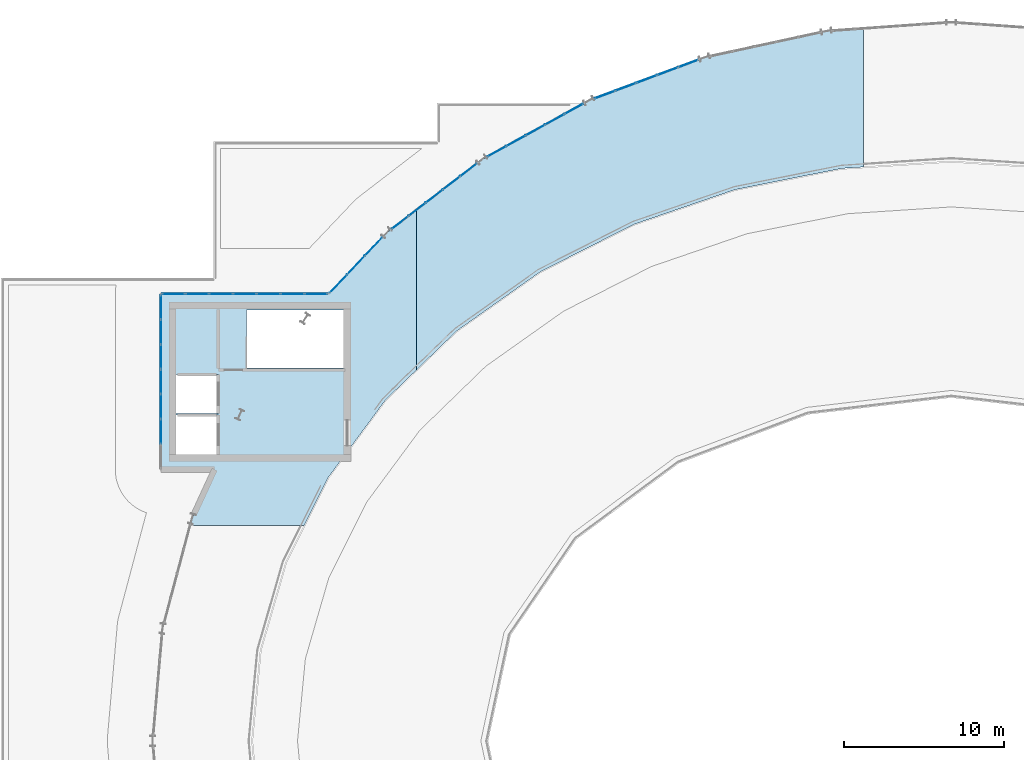
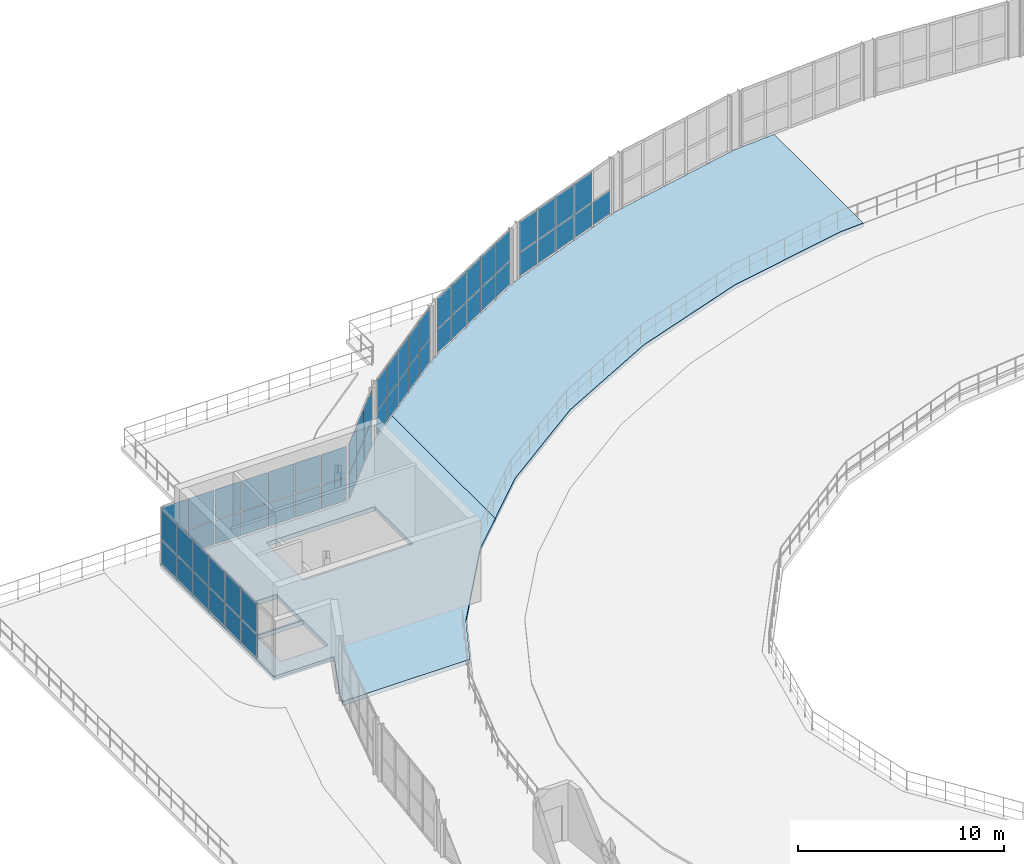
# One storey, part 28 of 40: 61 plates, 2 slabs, 6 elements without a shape of their own.
"""IFC4 building model written with IfcOpenShell, lengths in metres."""

import ifcopenshell
import ifcopenshell.guid

model = None  # the IFC model being written
_history = None  # IfcOwnerHistory: only IFC2X3 demands one
_inside = {}  # id of a spatial element -> (the spatial element, [elements in it])
_under = {}  # id of a project, library or spatial element -> (it, [spatial elements below it])
_declared = {}  # id of a project -> (the project, [libraries it declares])
_typed = {}  # id of a type object -> (the type object, [elements of that type])
_made_of = {}  # id of a material, layer set ... -> (it, [elements and type objects made of it])


def new_model(schema):
    """Start an empty IFC model of exactly this schema.

    Asked for "IFC4X3", IfcOpenShell would pick the latest addendum, in which some entities
    have other attributes; the version numbers below select the first issue.
    IFC2X3 requires an IfcOwnerHistory on every rooted entity: one is made here for all.
    """
    global model, _history
    if schema == "IFC4X3":
        model = ifcopenshell.file(schema_version=(4, 3, 0, 0))
    else:
        model = ifcopenshell.file(schema=schema)
    _inside.clear()
    _under.clear()
    _declared.clear()
    _typed.clear()
    _made_of.clear()
    _history = None
    if model.schema == "IFC2X3":
        org = make("IfcOrganization", Name="unknown")
        user = make(
            "IfcPersonAndOrganization",
            ThePerson=make("IfcPerson", FamilyName="unknown"),
            TheOrganization=org,
        )
        app = make(
            "IfcApplication",
            ApplicationDeveloper=org,
            Version="unknown",
            ApplicationFullName="unknown",
            ApplicationIdentifier="unknown",
        )
        _history = make(
            "IfcOwnerHistory",
            OwningUser=user,
            OwningApplication=app,
            ChangeAction="ADDED",
            CreationDate=0,
        )
    return model


def make(cls, **values):
    """One entity of the class cls with the attributes given. An attribute that is None is left unset."""
    return model.create_entity(
        cls, **{name: value for name, value in values.items() if value is not None}
    )


def rooted(cls, **values):
    """An entity with a GlobalId (a new one), such as an element, a storey or a relation."""
    return make(cls, GlobalId=ifcopenshell.guid.new(), OwnerHistory=_history, **values)


def si_unit(unit_type, name, prefix=None):
    """IfcSIUnit, for example si_unit("LENGTHUNIT", "METRE", prefix="MILLI")."""
    return make("IfcSIUnit", UnitType=unit_type, Prefix=prefix, Name=name)


def assignment(units):
    """IfcUnitAssignment: the units of a project."""
    return None if units is None else make("IfcUnitAssignment", Units=units)


def point(xyz):
    """IfcCartesianPoint."""
    return None if xyz is None else make("IfcCartesianPoint", Coordinates=xyz)


def direction(xyz):
    """IfcDirection."""
    return None if xyz is None else make("IfcDirection", DirectionRatios=xyz)


def frame(location, z_axis=None, x_axis=None):
    """IfcAxis2Placement3D, a coordinate frame: its origin and axes. An axis left out is left unset."""
    return make(
        "IfcAxis2Placement3D",
        Location=point(location),
        Axis=direction(z_axis),
        RefDirection=direction(x_axis),
    )


def frame_2d(location, x_axis=None):
    """IfcAxis2Placement2D, a coordinate frame in the plane: its origin and x axis."""
    return make(
        "IfcAxis2Placement2D", Location=point(location), RefDirection=direction(x_axis)
    )


def origin():
    """The frame at (0, 0, 0) with its axes left unset."""
    return frame((0.0, 0.0, 0.0))


def origin_2d():
    """The frame at (0, 0) in the plane with its x axis left unset."""
    return frame_2d((0.0, 0.0))


def place(relative_to, where):
    """IfcLocalPlacement: puts the frame where relative to a parent placement (None: the world)."""
    return make(
        "IfcLocalPlacement", PlacementRelTo=relative_to, RelativePlacement=where
    )


def context(
    kind, dimensions, precision=None, world=None, true_north=None, identifier=None
):
    """IfcGeometricRepresentationContext, for example the 3D "Model" context."""
    return make(
        "IfcGeometricRepresentationContext",
        ContextIdentifier=identifier,
        ContextType=kind,
        CoordinateSpaceDimension=dimensions,
        Precision=precision,
        WorldCoordinateSystem=world,
        TrueNorth=true_north,
    )


def subcontext(parent, identifier, kind, view, scale=None):
    """IfcGeometricRepresentationSubContext, for example "Body" below "Model"."""
    return make(
        "IfcGeometricRepresentationSubContext",
        ContextIdentifier=identifier,
        ContextType=kind,
        ParentContext=parent,
        TargetScale=scale,
        TargetView=view,
    )


def project(units=None, contexts=None):
    """IfcProject with its units and contexts."""
    return rooted(
        "IfcProject",
        Name="project",
        RepresentationContexts=contexts,
        UnitsInContext=assignment(units),
    )


def spatial(cls, under=None, at=None, **own):
    """A site, building, storey or space (cls), placed at a placement, below another one or the project."""
    s = rooted(cls, ObjectPlacement=at, **own)
    if under is not None:
        _under.setdefault(under.id(), (under, []))[1].append(s)
    return s


def polyline(points):
    """IfcPolyline through the points."""
    return make("IfcPolyline", Points=[point(p) for p in points])


def profile(cls, at=None, kind="AREA", **sizes):
    """A parametric profile (cls). Its sizes go by their IFC names, for example OverallWidth=200.0."""
    return make(cls, ProfileType=kind, Position=at, **sizes)


def rectangle(**sizes):
    """IfcRectangleProfileDef."""
    return profile("IfcRectangleProfileDef", **sizes)


def outline(outer, holes=None, kind="AREA"):
    """IfcArbitraryClosedProfileDef: a profile drawn as a closed curve; with holes, ...WithVoids."""
    if holes is None:
        return make("IfcArbitraryClosedProfileDef", ProfileType=kind, OuterCurve=outer)
    return make(
        "IfcArbitraryProfileDefWithVoids",
        ProfileType=kind,
        OuterCurve=outer,
        InnerCurves=holes,
    )


def extrude(swept, where, along, depth):
    """IfcExtrudedAreaSolid: the profile swept, set in the frame where, extruded along a direction by depth."""
    return make(
        "IfcExtrudedAreaSolid",
        SweptArea=swept,
        Position=where,
        ExtrudedDirection=direction(along),
        Depth=depth,
    )


def shape(context_of_items, identifier, shape_type, items):
    """IfcShapeRepresentation: the items that make up one representation, for example the "Body"."""
    return make(
        "IfcShapeRepresentation",
        ContextOfItems=context_of_items,
        RepresentationIdentifier=identifier,
        RepresentationType=shape_type,
        Items=items,
    )


def material(Name=None, Category=None):
    """IfcMaterial."""
    return make("IfcMaterial", Name=Name, Category=Category)


def layer(
    of_material, thickness, ventilated=None, Name=None, Category=None, Priority=None
):
    """IfcMaterialLayer: one layer of a wall or slab, of a material (None: an air gap)."""
    return make(
        "IfcMaterialLayer",
        Material=of_material,
        LayerThickness=thickness,
        IsVentilated=ventilated,
        Name=Name,
        Category=Category,
        Priority=Priority,
    )


def layer_set(layers, Name=None):
    """IfcMaterialLayerSet."""
    return make("IfcMaterialLayerSet", MaterialLayers=layers, LayerSetName=Name)


def made_of(thing, what):
    """Note that an element or type object is made of a material, layer set ...; save() writes the relation."""
    if what is not None:
        _made_of.setdefault(what.id(), (what, []))[1].append(thing)
    return thing


def type_object(cls, material=None, **own):
    """A type object (cls), such as IfcWallType, which elements share."""
    return made_of(rooted(cls, **own), material)


def element(
    cls,
    number,
    at=None,
    inside=None,
    cuts=None,
    type_object=None,
    material=None,
    context=None,
    identifier="Body",
    shape_type=None,
    held_by="IfcProductDefinitionShape",
    body=None,
    shapes=None,
    **own,
):
    """One element of the class cls, such as IfcWall. Its Tag is "e" and its number.

    at: its placement. inside: the storey or other place that contains it. cuts: it is an
    opening in that element (IfcRelVoidsElement). A single representation is given by context,
    identifier, shape_type and body (its items); several are given by shapes. held_by: the class
    of the entity that holds the representations. save() writes the other relations.
    """
    e = rooted(cls, Tag="e%d" % number, ObjectPlacement=at, **own)
    if body is not None:
        shapes = [shape(context, identifier, shape_type, body)]
    if shapes is not None:
        e.Representation = make(held_by, Representations=shapes)
    if inside is not None:
        _inside.setdefault(inside.id(), (inside, []))[1].append(e)
    if cuts is not None:
        rooted(
            "IfcRelVoidsElement", RelatingBuildingElement=cuts, RelatedOpeningElement=e
        )
    if type_object is not None:
        _typed.setdefault(type_object.id(), (type_object, []))[1].append(e)
    return made_of(e, material)


def aggregate(whole, parts):
    """IfcRelAggregates: a whole, such as a stair, and the parts it consists of."""
    return rooted("IfcRelAggregates", RelatingObject=whole, RelatedObjects=parts)


def save(model, path):
    """Write the relations noted so far, then the file.

    IfcRelAggregates (storeys below a building ...), IfcRelContainedInSpatialStructure (elements
    in a storey), IfcRelDefinesByType, IfcRelAssociatesMaterial and IfcRelDeclares: one each for
    every whole, place, type object, material and project.
    """
    for whole, parts in _under.values():
        aggregate(whole, parts)
    for where, things in _inside.values():
        rooted(
            "IfcRelContainedInSpatialStructure",
            RelatedElements=things,
            RelatingStructure=where,
        )
    for kind, things in _typed.values():
        rooted("IfcRelDefinesByType", RelatedObjects=things, RelatingType=kind)
    for what, things in _made_of.values():
        rooted("IfcRelAssociatesMaterial", RelatedObjects=things, RelatingMaterial=what)
    for by, libraries in _declared.values():
        rooted("IfcRelDeclares", RelatingContext=by, RelatedDefinitions=libraries)
    model.write(path)


model = new_model("IFC4")

# Units and contexts
model_context = context("Model", 3, precision=1e-05, world=origin(), true_north=direction((0.0, 1.0)))
body_context = subcontext(model_context, "Body", "Model", "MODEL_VIEW")
ifc_project = project(units=[si_unit("LENGTHUNIT", "METRE"), si_unit("AREAUNIT", "SQUARE_METRE"), si_unit("VOLUMEUNIT", "CUBIC_METRE"), si_unit("PLANEANGLEUNIT", "RADIAN"), si_unit("MASSUNIT", "GRAM", prefix="KILO")], contexts=[model_context])

# Site, building, storey
site_placement = place(None, origin())
site = spatial("IfcSite", under=ifc_project, at=site_placement, CompositionType="ELEMENT")
building_placement = place(site_placement, origin())
building = spatial("IfcBuilding", under=site, at=building_placement, Name="Glasvene Arena", CompositionType="ELEMENT")
storey_placement = place(building_placement, frame((0.0, 0.0, 24.0)))
storey = spatial("IfcBuildingStorey", under=building, at=storey_placement, Name="L05", CompositionType="ELEMENT", Elevation=24.0)

# Curtain wall, plates
ifc_material_1 = material(Name="Low-emissivity laminated double glazing", Category="glass")
curtain_wall_type_1 = type_object("IfcCurtainWallType", Name="CW-FAC-L05-1092x332", PredefinedType="USERDEFINED", material=ifc_material_1)
curtain_wall_1_placement = place(storey_placement, frame((42.5, 90.0400390625, 0.0)))
curtain_wall_1 = element("IfcCurtainWall", 1, at=curtain_wall_1_placement, inside=storey, type_object=curtain_wall_type_1, Name="Unitised curtain wall CW-F-L05-150-425-955-11", ObjectType="CURTAIN WALL", PredefinedType="USERDEFINED")
ifc_layer_1 = layer(ifc_material_1, 0.028076171875)
ifc_layer_set_1 = layer_set([ifc_layer_1], Name="Low-emissivity laminated double glazing")
plate_type = type_object("IfcPlateType", Name="CW-GLZ-28", PredefinedType="CURTAIN_PANEL", material=ifc_layer_set_1)
plate_1_placement = place(storey_placement, frame((42.5, 92.3798828125, 0.10986328125), z_axis=(0.0, 0.0, 1.0), x_axis=(0.0, 1.0, 0.0)))
plate_1 = element("IfcPlate", 2, at=plate_1_placement, type_object=plate_type, Name="CW-055 panel 2.1", PredefinedType="CURTAIN_PANEL", context=body_context, shape_type="SweptSolid", body=[
    extrude(rectangle(XDim=1.510009765625, YDim=0.028076171875, at=origin_2d()), origin(), (0.0, 0.0, 1.0), 1.385986328125),
])
plate_2_placement = place(storey_placement, frame((42.5, 92.3798828125, 1.5458984375), z_axis=(0.0, 0.0, 1.0), x_axis=(0.0, 1.0, 0.0)))
plate_2 = element("IfcPlate", 3, at=plate_2_placement, type_object=plate_type, Name="CW-055 panel 2.2", PredefinedType="CURTAIN_PANEL", context=body_context, shape_type="SweptSolid", body=[
    extrude(rectangle(XDim=1.510009765625, YDim=0.028076171875, at=origin_2d()), origin(), (0.0, 0.0, 1.0), 1.783935546875),
])
plate_3_placement = place(storey_placement, frame((42.5, 93.93994140625, 0.10986328125), z_axis=(0.0, 0.0, 1.0), x_axis=(0.0, 1.0, 0.0)))
plate_3 = element("IfcPlate", 4, at=plate_3_placement, type_object=plate_type, Name="CW-055 panel 3.1", PredefinedType="CURTAIN_PANEL", context=body_context, shape_type="SweptSolid", body=[
    extrude(rectangle(XDim=1.510009765625, YDim=0.028076171875, at=origin_2d()), origin(), (0.0, 0.0, 1.0), 1.385986328125),
])
plate_4_placement = place(storey_placement, frame((42.5, 93.93994140625, 1.5458984375), z_axis=(0.0, 0.0, 1.0), x_axis=(0.0, 1.0, 0.0)))
plate_4 = element("IfcPlate", 5, at=plate_4_placement, type_object=plate_type, Name="CW-055 panel 3.2", PredefinedType="CURTAIN_PANEL", context=body_context, shape_type="SweptSolid", body=[
    extrude(rectangle(XDim=1.510009765625, YDim=0.028076171875, at=origin_2d()), origin(), (0.0, 0.0, 1.0), 1.783935546875),
])
plate_5_placement = place(storey_placement, frame((42.5, 95.5, 0.10986328125), z_axis=(0.0, 0.0, 1.0), x_axis=(0.0, 1.0, 0.0)))
plate_5 = element("IfcPlate", 6, at=plate_5_placement, type_object=plate_type, Name="CW-055 panel 4.1", PredefinedType="CURTAIN_PANEL", context=body_context, shape_type="SweptSolid", body=[
    extrude(rectangle(XDim=1.510009765625, YDim=0.028076171875, at=origin_2d()), origin(), (0.0, 0.0, 1.0), 1.385986328125),
])
plate_6_placement = place(storey_placement, frame((42.5, 95.5, 1.5458984375), z_axis=(0.0, 0.0, 1.0), x_axis=(0.0, 1.0, 0.0)))
plate_6 = element("IfcPlate", 7, at=plate_6_placement, type_object=plate_type, Name="CW-055 panel 4.2", PredefinedType="CURTAIN_PANEL", context=body_context, shape_type="SweptSolid", body=[
    extrude(rectangle(XDim=1.510009765625, YDim=0.028076171875, at=origin_2d()), origin(), (0.0, 0.0, 1.0), 1.783935546875),
])
plate_7_placement = place(storey_placement, frame((42.5, 97.06005859375, 0.10986328125), z_axis=(0.0, 0.0, 1.0), x_axis=(0.0, 1.0, 0.0)))
plate_7 = element("IfcPlate", 8, at=plate_7_placement, type_object=plate_type, Name="CW-055 panel 5.1", PredefinedType="CURTAIN_PANEL", context=body_context, shape_type="SweptSolid", body=[
    extrude(rectangle(XDim=1.510009765625, YDim=0.028076171875, at=origin_2d()), origin(), (0.0, 0.0, 1.0), 1.385986328125),
])
plate_8_placement = place(storey_placement, frame((42.5, 97.06005859375, 1.5458984375), z_axis=(0.0, 0.0, 1.0), x_axis=(0.0, 1.0, 0.0)))
plate_8 = element("IfcPlate", 9, at=plate_8_placement, type_object=plate_type, Name="CW-055 panel 5.2", PredefinedType="CURTAIN_PANEL", context=body_context, shape_type="SweptSolid", body=[
    extrude(rectangle(XDim=1.510009765625, YDim=0.028076171875, at=origin_2d()), origin(), (0.0, 0.0, 1.0), 1.783935546875),
])
plate_9_placement = place(storey_placement, frame((42.5, 98.6201171875, 0.10986328125), z_axis=(0.0, 0.0, 1.0), x_axis=(0.0, 1.0, 0.0)))
plate_9 = element("IfcPlate", 10, at=plate_9_placement, type_object=plate_type, Name="CW-055 panel 6.1", PredefinedType="CURTAIN_PANEL", context=body_context, shape_type="SweptSolid", body=[
    extrude(rectangle(XDim=1.510009765625, YDim=0.028076171875, at=origin_2d()), origin(), (0.0, 0.0, 1.0), 1.385986328125),
])
plate_10_placement = place(storey_placement, frame((42.5, 98.6201171875, 1.5458984375), z_axis=(0.0, 0.0, 1.0), x_axis=(0.0, 1.0, 0.0)))
plate_10 = element("IfcPlate", 11, at=plate_10_placement, type_object=plate_type, Name="CW-055 panel 6.2", PredefinedType="CURTAIN_PANEL", context=body_context, shape_type="SweptSolid", body=[
    extrude(rectangle(XDim=1.510009765625, YDim=0.028076171875, at=origin_2d()), origin(), (0.0, 0.0, 1.0), 1.783935546875),
])
plate_11_placement = place(storey_placement, frame((42.5, 100.16748046875, 0.10986328125), z_axis=(0.0, 0.0, 1.0), x_axis=(0.0, 1.0, 0.0)))
plate_11 = element("IfcPlate", 12, at=plate_11_placement, type_object=plate_type, Name="CW-055 panel 7.1", PredefinedType="CURTAIN_PANEL", context=body_context, shape_type="SweptSolid", body=[
    extrude(rectangle(XDim=1.485107421875, YDim=0.028076171875, at=origin_2d()), origin(), (0.0, 0.0, 1.0), 1.385986328125),
])
plate_12_placement = place(storey_placement, frame((42.5, 100.16748046875, 1.5458984375), z_axis=(0.0, 0.0, 1.0), x_axis=(0.0, 1.0, 0.0)))
plate_12 = element("IfcPlate", 13, at=plate_12_placement, type_object=plate_type, Name="CW-055 panel 7.2", PredefinedType="CURTAIN_PANEL", context=body_context, shape_type="SweptSolid", body=[
    extrude(rectangle(XDim=1.485107421875, YDim=0.028076171875, at=origin_2d()), origin(), (0.0, 0.0, 1.0), 1.783935546875),
])
aggregate(curtain_wall_1, [plate_1, plate_2, plate_3, plate_4, plate_5, plate_6, plate_7, plate_8, plate_9, plate_10, plate_11, plate_12])

curtain_wall_type_2 = type_object("IfcCurtainWallType", Name="CW-FAC-L05-1044x332", PredefinedType="USERDEFINED", material=ifc_material_1)
curtain_wall_2_placement = place(storey_placement, frame((42.5400390625, 101.0, 0.0)))
curtain_wall_2 = element("IfcCurtainWall", 14, at=curtain_wall_2_placement, inside=storey, type_object=curtain_wall_type_2, Name="Unitised curtain wall CW-F-L05-150-478-1010-12", ObjectType="CURTAIN WALL", PredefinedType="USERDEFINED")
plate_13_placement = place(storey_placement, frame((43.298095703125, 101.0, 0.10986328125), z_axis=(0.0, 0.0, 1.0), x_axis=(1.0, 0.0, 0.0)))
plate_13 = element("IfcPlate", 15, at=plate_13_placement, type_object=plate_type, Name="CW-059 panel 1.1", PredefinedType="CURTAIN_PANEL", context=body_context, shape_type="SweptSolid", body=[
    extrude(rectangle(XDim=1.41650390625, YDim=0.028076171875, at=origin_2d()), origin(), (0.0, 0.0, 1.0), 1.385986328125),
])
plate_14_placement = place(storey_placement, frame((43.298095703125, 101.0, 1.5458984375), z_axis=(0.0, 0.0, 1.0), x_axis=(1.0, 0.0, 0.0)))
plate_14 = element("IfcPlate", 16, at=plate_14_placement, type_object=plate_type, Name="CW-059 panel 1.2", PredefinedType="CURTAIN_PANEL", context=body_context, shape_type="SweptSolid", body=[
    extrude(rectangle(XDim=1.41650390625, YDim=0.028076171875, at=origin_2d()), origin(), (0.0, 0.0, 1.0), 1.783935546875),
])
plate_15_placement = place(storey_placement, frame((44.777099609375, 101.0, 0.10986328125), z_axis=(0.0, 0.0, 1.0), x_axis=(1.0, 0.0, 0.0)))
plate_15 = element("IfcPlate", 17, at=plate_15_placement, type_object=plate_type, Name="CW-059 panel 2.1", PredefinedType="CURTAIN_PANEL", context=body_context, shape_type="SweptSolid", body=[
    extrude(rectangle(XDim=1.44140625, YDim=0.028076171875, at=origin_2d()), origin(), (0.0, 0.0, 1.0), 1.385986328125),
])
plate_16_placement = place(storey_placement, frame((44.777099609375, 101.0, 1.5458984375), z_axis=(0.0, 0.0, 1.0), x_axis=(1.0, 0.0, 0.0)))
plate_16 = element("IfcPlate", 18, at=plate_16_placement, type_object=plate_type, Name="CW-059 panel 2.2", PredefinedType="CURTAIN_PANEL", context=body_context, shape_type="SweptSolid", body=[
    extrude(rectangle(XDim=1.44140625, YDim=0.028076171875, at=origin_2d()), origin(), (0.0, 0.0, 1.0), 1.783935546875),
])
plate_17_placement = place(storey_placement, frame((46.2685546875, 101.0, 0.10986328125), z_axis=(0.0, 0.0, 1.0), x_axis=(1.0, 0.0, 0.0)))
plate_17 = element("IfcPlate", 19, at=plate_17_placement, type_object=plate_type, Name="CW-059 panel 3.1", PredefinedType="CURTAIN_PANEL", context=body_context, shape_type="SweptSolid", body=[
    extrude(rectangle(XDim=1.44140625, YDim=0.028076171875, at=origin_2d()), origin(), (0.0, 0.0, 1.0), 1.385986328125),
])
plate_18_placement = place(storey_placement, frame((46.2685546875, 101.0, 1.5458984375), z_axis=(0.0, 0.0, 1.0), x_axis=(1.0, 0.0, 0.0)))
plate_18 = element("IfcPlate", 20, at=plate_18_placement, type_object=plate_type, Name="CW-059 panel 3.2", PredefinedType="CURTAIN_PANEL", context=body_context, shape_type="SweptSolid", body=[
    extrude(rectangle(XDim=1.44140625, YDim=0.028076171875, at=origin_2d()), origin(), (0.0, 0.0, 1.0), 1.783935546875),
])
plate_19_placement = place(storey_placement, frame((47.760009765625, 101.0, 0.10986328125), z_axis=(0.0, 0.0, 1.0), x_axis=(1.0, 0.0, 0.0)))
plate_19 = element("IfcPlate", 21, at=plate_19_placement, type_object=plate_type, Name="CW-059 panel 4.1", PredefinedType="CURTAIN_PANEL", context=body_context, shape_type="SweptSolid", body=[
    extrude(rectangle(XDim=1.44140625, YDim=0.028076171875, at=origin_2d()), origin(), (0.0, 0.0, 1.0), 1.385986328125),
])
plate_20_placement = place(storey_placement, frame((47.760009765625, 101.0, 1.5458984375), z_axis=(0.0, 0.0, 1.0), x_axis=(1.0, 0.0, 0.0)))
plate_20 = element("IfcPlate", 22, at=plate_20_placement, type_object=plate_type, Name="CW-059 panel 4.2", PredefinedType="CURTAIN_PANEL", context=body_context, shape_type="SweptSolid", body=[
    extrude(rectangle(XDim=1.44140625, YDim=0.028076171875, at=origin_2d()), origin(), (0.0, 0.0, 1.0), 1.783935546875),
])
plate_21_placement = place(storey_placement, frame((49.251220703125, 101.0, 0.10986328125), z_axis=(0.0, 0.0, 1.0), x_axis=(1.0, 0.0, 0.0)))
plate_21 = element("IfcPlate", 23, at=plate_21_placement, type_object=plate_type, Name="CW-059 panel 5.1", PredefinedType="CURTAIN_PANEL", context=body_context, shape_type="SweptSolid", body=[
    extrude(rectangle(XDim=1.44140625, YDim=0.028076171875, at=origin_2d()), origin(), (0.0, 0.0, 1.0), 1.385986328125),
])
plate_22_placement = place(storey_placement, frame((49.251220703125, 101.0, 1.5458984375), z_axis=(0.0, 0.0, 1.0), x_axis=(1.0, 0.0, 0.0)))
plate_22 = element("IfcPlate", 24, at=plate_22_placement, type_object=plate_type, Name="CW-059 panel 5.2", PredefinedType="CURTAIN_PANEL", context=body_context, shape_type="SweptSolid", body=[
    extrude(rectangle(XDim=1.44140625, YDim=0.028076171875, at=origin_2d()), origin(), (0.0, 0.0, 1.0), 1.783935546875),
])
plate_23_placement = place(storey_placement, frame((50.74267578125, 101.0, 0.10986328125), z_axis=(0.0, 0.0, 1.0), x_axis=(1.0, 0.0, 0.0)))
plate_23 = element("IfcPlate", 25, at=plate_23_placement, type_object=plate_type, Name="CW-059 panel 6.1", PredefinedType="CURTAIN_PANEL", context=body_context, shape_type="SweptSolid", body=[
    extrude(rectangle(XDim=1.44140625, YDim=0.028076171875, at=origin_2d()), origin(), (0.0, 0.0, 1.0), 1.385986328125),
])
plate_24_placement = place(storey_placement, frame((50.74267578125, 101.0, 1.5458984375), z_axis=(0.0, 0.0, 1.0), x_axis=(1.0, 0.0, 0.0)))
plate_24 = element("IfcPlate", 26, at=plate_24_placement, type_object=plate_type, Name="CW-059 panel 6.2", PredefinedType="CURTAIN_PANEL", context=body_context, shape_type="SweptSolid", body=[
    extrude(rectangle(XDim=1.44140625, YDim=0.028076171875, at=origin_2d()), origin(), (0.0, 0.0, 1.0), 1.783935546875),
])
plate_25_placement = place(storey_placement, frame((52.2216796875, 101.0, 0.10986328125), z_axis=(0.0, 0.0, 1.0), x_axis=(1.0, 0.0, 0.0)))
plate_25 = element("IfcPlate", 27, at=plate_25_placement, type_object=plate_type, Name="CW-059 panel 7.1", PredefinedType="CURTAIN_PANEL", context=body_context, shape_type="SweptSolid", body=[
    extrude(rectangle(XDim=1.41650390625, YDim=0.028076171875, at=origin_2d()), origin(), (0.0, 0.0, 1.0), 1.385986328125),
])
plate_26_placement = place(storey_placement, frame((52.2216796875, 101.0, 1.5458984375), z_axis=(0.0, 0.0, 1.0), x_axis=(1.0, 0.0, 0.0)))
plate_26 = element("IfcPlate", 28, at=plate_26_placement, type_object=plate_type, Name="CW-059 panel 7.2", PredefinedType="CURTAIN_PANEL", context=body_context, shape_type="SweptSolid", body=[
    extrude(rectangle(XDim=1.41650390625, YDim=0.028076171875, at=origin_2d()), origin(), (0.0, 0.0, 1.0), 1.783935546875),
])
aggregate(curtain_wall_2, [plate_13, plate_14, plate_15, plate_16, plate_17, plate_18, plate_19, plate_20, plate_21, plate_22, plate_23, plate_24, plate_25, plate_26])

curtain_wall_type_3 = type_object("IfcCurtainWallType", Name="CW-FAC-L05-486x332", PredefinedType="USERDEFINED", material=ifc_material_1)
curtain_wall_3_placement = place(storey_placement, frame((53.04736328125, 101.029052734375, 0.0)))
curtain_wall_3 = element("IfcCurtainWall", 29, at=curtain_wall_3_placement, inside=storey, type_object=curtain_wall_type_3, Name="Unitised curtain wall CW-F-L05-150-547-1028-13", ObjectType="CURTAIN WALL", PredefinedType="USERDEFINED")
plate_27_placement = place(storey_placement, frame((53.61328125, 101.62548828125, 0.10986328125), z_axis=(0.0, 0.0, 1.0), x_axis=(0.688362630685, 0.725366727026, 0.0)))
plate_27 = element("IfcPlate", 30, at=plate_27_placement, type_object=plate_type, Name="CW-060 panel 1.1", PredefinedType="CURTAIN_PANEL", context=body_context, shape_type="SweptSolid", body=[
    extrude(rectangle(XDim=1.544677734375, YDim=0.028076171875, at=origin_2d()), origin(), (0.0, 0.0, 1.0), 1.385986328125),
])
plate_28_placement = place(storey_placement, frame((53.61328125, 101.62548828125, 1.5458984375), z_axis=(0.0, 0.0, 1.0), x_axis=(0.688362630685, 0.725366727026, 0.0)))
plate_28 = element("IfcPlate", 31, at=plate_28_placement, type_object=plate_type, Name="CW-060 panel 1.2", PredefinedType="CURTAIN_PANEL", context=body_context, shape_type="SweptSolid", body=[
    extrude(rectangle(XDim=1.544677734375, YDim=0.028076171875, at=origin_2d()), origin(), (0.0, 0.0, 1.0), 1.783935546875),
])
plate_29_placement = place(storey_placement, frame((54.7197265625, 102.791259765625, 0.10986328125), z_axis=(0.0, 0.0, 1.0), x_axis=(0.688362630685, 0.725366727026, 0.0)))
plate_29 = element("IfcPlate", 32, at=plate_29_placement, type_object=plate_type, Name="CW-060 panel 2.1", PredefinedType="CURTAIN_PANEL", context=body_context, shape_type="SweptSolid", body=[
    extrude(rectangle(XDim=1.569580078125, YDim=0.028076171875, at=origin_2d()), origin(), (0.0, 0.0, 1.0), 1.385986328125),
])
plate_30_placement = place(storey_placement, frame((54.7197265625, 102.791259765625, 1.5458984375), z_axis=(0.0, 0.0, 1.0), x_axis=(0.688362630685, 0.725366727026, 0.0)))
plate_30 = element("IfcPlate", 33, at=plate_30_placement, type_object=plate_type, Name="CW-060 panel 2.2", PredefinedType="CURTAIN_PANEL", context=body_context, shape_type="SweptSolid", body=[
    extrude(rectangle(XDim=1.569580078125, YDim=0.028076171875, at=origin_2d()), origin(), (0.0, 0.0, 1.0), 1.783935546875),
])
plate_31_placement = place(storey_placement, frame((55.825927734375, 103.95703125, 0.10986328125), z_axis=(0.0, 0.0, 1.0), x_axis=(0.688362630685, 0.725366727026, 0.0)))
plate_31 = element("IfcPlate", 34, at=plate_31_placement, type_object=plate_type, Name="CW-060 panel 3.1", PredefinedType="CURTAIN_PANEL", context=body_context, shape_type="SweptSolid", body=[
    extrude(rectangle(XDim=1.544677734375, YDim=0.028076171875, at=origin_2d()), origin(), (0.0, 0.0, 1.0), 1.385986328125),
])
plate_32_placement = place(storey_placement, frame((55.825927734375, 103.95703125, 1.5458984375), z_axis=(0.0, 0.0, 1.0), x_axis=(0.688362630685, 0.725366727026, 0.0)))
plate_32 = element("IfcPlate", 35, at=plate_32_placement, type_object=plate_type, Name="CW-060 panel 3.2", PredefinedType="CURTAIN_PANEL", context=body_context, shape_type="SweptSolid", body=[
    extrude(rectangle(XDim=1.544677734375, YDim=0.028076171875, at=origin_2d()), origin(), (0.0, 0.0, 1.0), 1.783935546875),
])
aggregate(curtain_wall_3, [plate_27, plate_28, plate_29, plate_30, plate_31, plate_32])

curtain_wall_type_4 = type_object("IfcCurtainWallType", Name="CW-FAC-L05-679x332", PredefinedType="USERDEFINED", material=ifc_material_1)
curtain_wall_4_placement = place(storey_placement, frame((56.93994140625, 105.046875, 0.0)))
curtain_wall_4 = element("IfcCurtainWall", 36, at=curtain_wall_4_placement, inside=storey, type_object=curtain_wall_type_4, Name="Unitised curtain wall CW-F-L05-150-596-1071-14", ObjectType="CURTAIN WALL", PredefinedType="USERDEFINED")
plate_33_placement = place(storey_placement, frame((57.48779296875, 105.468017578125, 0.10986328125), z_axis=(0.0, 0.0, 1.0), x_axis=(0.792839799008, 0.609430105187, 0.0)))
plate_33 = element("IfcPlate", 37, at=plate_33_placement, type_object=plate_type, Name="CW-061 panel 1.1", PredefinedType="CURTAIN_PANEL", context=body_context, shape_type="SweptSolid", body=[
    extrude(rectangle(XDim=1.281982421875, YDim=0.028076171875, at=origin_2d()), origin(), (0.0, 0.0, 1.0), 1.385986328125),
])
plate_34_placement = place(storey_placement, frame((57.48779296875, 105.468017578125, 1.5458984375), z_axis=(0.0, 0.0, 1.0), x_axis=(0.792839799008, 0.609430105187, 0.0)))
plate_34 = element("IfcPlate", 38, at=plate_34_placement, type_object=plate_type, Name="CW-061 panel 1.2", PredefinedType="CURTAIN_PANEL", context=body_context, shape_type="SweptSolid", body=[
    extrude(rectangle(XDim=1.281982421875, YDim=0.028076171875, at=origin_2d()), origin(), (0.0, 0.0, 1.0), 1.783935546875),
])
plate_35_placement = place(storey_placement, frame((58.553955078125, 106.287353515625, 0.10986328125), z_axis=(0.0, 0.0, 1.0), x_axis=(0.792839799008, 0.609430105187, 0.0)))
plate_35 = element("IfcPlate", 39, at=plate_35_placement, type_object=plate_type, Name="CW-061 panel 2.1", PredefinedType="CURTAIN_PANEL", context=body_context, shape_type="SweptSolid", body=[
    extrude(rectangle(XDim=1.30712890625, YDim=0.028076171875, at=origin_2d()), origin(), (0.0, 0.0, 1.0), 1.385986328125),
])
plate_36_placement = place(storey_placement, frame((58.553955078125, 106.287353515625, 1.5458984375), z_axis=(0.0, 0.0, 1.0), x_axis=(0.792839799008, 0.609430105187, 0.0)))
plate_36 = element("IfcPlate", 40, at=plate_36_placement, type_object=plate_type, Name="CW-061 panel 2.2", PredefinedType="CURTAIN_PANEL", context=body_context, shape_type="SweptSolid", body=[
    extrude(rectangle(XDim=1.30712890625, YDim=0.028076171875, at=origin_2d()), origin(), (0.0, 0.0, 1.0), 1.783935546875),
])
plate_37_placement = place(storey_placement, frame((59.6298828125, 107.114501953125, 0.10986328125), z_axis=(0.0, 0.0, 1.0), x_axis=(0.792839799008, 0.609430105187, 0.0)))
plate_37 = element("IfcPlate", 41, at=plate_37_placement, type_object=plate_type, Name="CW-061 panel 3.1", PredefinedType="CURTAIN_PANEL", context=body_context, shape_type="SweptSolid", body=[
    extrude(rectangle(XDim=1.30712890625, YDim=0.028076171875, at=origin_2d()), origin(), (0.0, 0.0, 1.0), 1.385986328125),
])
plate_38_placement = place(storey_placement, frame((59.6298828125, 107.114501953125, 1.5458984375), z_axis=(0.0, 0.0, 1.0), x_axis=(0.792839799008, 0.609430105187, 0.0)))
plate_38 = element("IfcPlate", 42, at=plate_38_placement, type_object=plate_type, Name="CW-061 panel 3.2", PredefinedType="CURTAIN_PANEL", context=body_context, shape_type="SweptSolid", body=[
    extrude(rectangle(XDim=1.30712890625, YDim=0.028076171875, at=origin_2d()), origin(), (0.0, 0.0, 1.0), 1.783935546875),
])
plate_39_placement = place(storey_placement, frame((60.705810546875, 107.941650390625, 0.10986328125), z_axis=(0.0, 0.0, 1.0), x_axis=(0.792839799008, 0.609430105187, 0.0)))
plate_39 = element("IfcPlate", 43, at=plate_39_placement, type_object=plate_type, Name="CW-061 panel 4.1", PredefinedType="CURTAIN_PANEL", context=body_context, shape_type="SweptSolid", body=[
    extrude(rectangle(XDim=1.30712890625, YDim=0.028076171875, at=origin_2d()), origin(), (0.0, 0.0, 1.0), 1.385986328125),
])
plate_40_placement = place(storey_placement, frame((60.705810546875, 107.941650390625, 1.5458984375), z_axis=(0.0, 0.0, 1.0), x_axis=(0.792839799008, 0.609430105187, 0.0)))
plate_40 = element("IfcPlate", 44, at=plate_40_placement, type_object=plate_type, Name="CW-061 panel 4.2", PredefinedType="CURTAIN_PANEL", context=body_context, shape_type="SweptSolid", body=[
    extrude(rectangle(XDim=1.30712890625, YDim=0.028076171875, at=origin_2d()), origin(), (0.0, 0.0, 1.0), 1.783935546875),
])
plate_41_placement = place(storey_placement, frame((61.771728515625, 108.760986328125, 0.10986328125), z_axis=(0.0, 0.0, 1.0), x_axis=(0.792839799008, 0.609430105187, 0.0)))
plate_41 = element("IfcPlate", 45, at=plate_41_placement, type_object=plate_type, Name="CW-061 panel 5.1", PredefinedType="CURTAIN_PANEL", context=body_context, shape_type="SweptSolid", body=[
    extrude(rectangle(XDim=1.281982421875, YDim=0.028076171875, at=origin_2d()), origin(), (0.0, 0.0, 1.0), 1.385986328125),
])
plate_42_placement = place(storey_placement, frame((61.771728515625, 108.760986328125, 1.5458984375), z_axis=(0.0, 0.0, 1.0), x_axis=(0.792839799008, 0.609430105187, 0.0)))
plate_42 = element("IfcPlate", 46, at=plate_42_placement, type_object=plate_type, Name="CW-061 panel 5.2", PredefinedType="CURTAIN_PANEL", context=body_context, shape_type="SweptSolid", body=[
    extrude(rectangle(XDim=1.281982421875, YDim=0.028076171875, at=origin_2d()), origin(), (0.0, 0.0, 1.0), 1.783935546875),
])
aggregate(curtain_wall_4, [plate_33, plate_34, plate_35, plate_36, plate_37, plate_38, plate_39, plate_40, plate_41, plate_42])

curtain_wall_type_5 = type_object("IfcCurtainWallType", Name="CW-FAC-L05-690x332", PredefinedType="USERDEFINED", material=ifc_material_1)
curtain_wall_5_placement = place(storey_placement, frame((62.9365234375, 109.58544921875, 0.0)))
curtain_wall_5 = element("IfcCurtainWall", 47, at=curtain_wall_5_placement, inside=storey, type_object=curtain_wall_type_5, Name="Unitised curtain wall CW-F-L05-150-660-1113-15", ObjectType="CURTAIN WALL", PredefinedType="USERDEFINED")
plate_43_placement = place(storey_placement, frame((63.5517578125, 109.9248046875, 0.10986328125), z_axis=(0.0, 0.0, 1.0), x_axis=(0.875654185248, 0.482938658483, 0.0)))
plate_43 = element("IfcPlate", 48, at=plate_43_placement, type_object=plate_type, Name="CW-062 panel 1.1", PredefinedType="CURTAIN_PANEL", context=body_context, shape_type="SweptSolid", body=[
    extrude(rectangle(XDim=1.30517578125, YDim=0.028076171875, at=origin_2d()), origin(), (0.0, 0.0, 1.0), 1.385986328125),
])
plate_44_placement = place(storey_placement, frame((63.5517578125, 109.9248046875, 1.5458984375), z_axis=(0.0, 0.0, 1.0), x_axis=(0.875654185248, 0.482938658483, 0.0)))
plate_44 = element("IfcPlate", 49, at=plate_44_placement, type_object=plate_type, Name="CW-062 panel 1.2", PredefinedType="CURTAIN_PANEL", context=body_context, shape_type="SweptSolid", body=[
    extrude(rectangle(XDim=1.30517578125, YDim=0.028076171875, at=origin_2d()), origin(), (0.0, 0.0, 1.0), 1.783935546875),
])
plate_45_placement = place(storey_placement, frame((64.749267578125, 110.585205078125, 0.10986328125), z_axis=(0.0, 0.0, 1.0), x_axis=(0.875654185248, 0.482938658483, 0.0)))
plate_45 = element("IfcPlate", 50, at=plate_45_placement, type_object=plate_type, Name="CW-062 panel 2.1", PredefinedType="CURTAIN_PANEL", context=body_context, shape_type="SweptSolid", body=[
    extrude(rectangle(XDim=1.330078125, YDim=0.028076171875, at=origin_2d()), origin(), (0.0, 0.0, 1.0), 1.385986328125),
])
plate_46_placement = place(storey_placement, frame((64.749267578125, 110.585205078125, 1.5458984375), z_axis=(0.0, 0.0, 1.0), x_axis=(0.875654185248, 0.482938658483, 0.0)))
plate_46 = element("IfcPlate", 51, at=plate_46_placement, type_object=plate_type, Name="CW-062 panel 2.2", PredefinedType="CURTAIN_PANEL", context=body_context, shape_type="SweptSolid", body=[
    extrude(rectangle(XDim=1.330078125, YDim=0.028076171875, at=origin_2d()), origin(), (0.0, 0.0, 1.0), 1.783935546875),
])
plate_47_placement = place(storey_placement, frame((65.957763671875, 111.251708984375, 0.10986328125), z_axis=(0.0, 0.0, 1.0), x_axis=(0.875654185248, 0.482938658483, 0.0)))
plate_47 = element("IfcPlate", 52, at=plate_47_placement, type_object=plate_type, Name="CW-062 panel 3.1", PredefinedType="CURTAIN_PANEL", context=body_context, shape_type="SweptSolid", body=[
    extrude(rectangle(XDim=1.330078125, YDim=0.028076171875, at=origin_2d()), origin(), (0.0, 0.0, 1.0), 1.385986328125),
])
plate_48_placement = place(storey_placement, frame((65.957763671875, 111.251708984375, 1.5458984375), z_axis=(0.0, 0.0, 1.0), x_axis=(0.875654185248, 0.482938658483, 0.0)))
plate_48 = element("IfcPlate", 53, at=plate_48_placement, type_object=plate_type, Name="CW-062 panel 3.2", PredefinedType="CURTAIN_PANEL", context=body_context, shape_type="SweptSolid", body=[
    extrude(rectangle(XDim=1.330078125, YDim=0.028076171875, at=origin_2d()), origin(), (0.0, 0.0, 1.0), 1.783935546875),
])
plate_49_placement = place(storey_placement, frame((67.166259765625, 111.918212890625, 0.10986328125), z_axis=(0.0, 0.0, 1.0), x_axis=(0.875654185248, 0.482938658483, 0.0)))
plate_49 = element("IfcPlate", 54, at=plate_49_placement, type_object=plate_type, Name="CW-062 panel 4.1", PredefinedType="CURTAIN_PANEL", context=body_context, shape_type="SweptSolid", body=[
    extrude(rectangle(XDim=1.330078125, YDim=0.028076171875, at=origin_2d()), origin(), (0.0, 0.0, 1.0), 1.385986328125),
])
plate_50_placement = place(storey_placement, frame((67.166259765625, 111.918212890625, 1.5458984375), z_axis=(0.0, 0.0, 1.0), x_axis=(0.875654185248, 0.482938658483, 0.0)))
plate_50 = element("IfcPlate", 55, at=plate_50_placement, type_object=plate_type, Name="CW-062 panel 4.2", PredefinedType="CURTAIN_PANEL", context=body_context, shape_type="SweptSolid", body=[
    extrude(rectangle(XDim=1.330078125, YDim=0.028076171875, at=origin_2d()), origin(), (0.0, 0.0, 1.0), 1.783935546875),
])
plate_51_placement = place(storey_placement, frame((68.364013671875, 112.578857421875, 0.10986328125), z_axis=(0.0, 0.0, 1.0), x_axis=(0.875654185248, 0.482938658483, 0.0)))
plate_51 = element("IfcPlate", 56, at=plate_51_placement, type_object=plate_type, Name="CW-062 panel 5.1", PredefinedType="CURTAIN_PANEL", context=body_context, shape_type="SweptSolid", body=[
    extrude(rectangle(XDim=1.30517578125, YDim=0.028076171875, at=origin_2d()), origin(), (0.0, 0.0, 1.0), 1.385986328125),
])
plate_52_placement = place(storey_placement, frame((68.364013671875, 112.578857421875, 1.5458984375), z_axis=(0.0, 0.0, 1.0), x_axis=(0.875654185248, 0.482938658483, 0.0)))
plate_52 = element("IfcPlate", 57, at=plate_52_placement, type_object=plate_type, Name="CW-062 panel 5.2", PredefinedType="CURTAIN_PANEL", context=body_context, shape_type="SweptSolid", body=[
    extrude(rectangle(XDim=1.30517578125, YDim=0.028076171875, at=origin_2d()), origin(), (0.0, 0.0, 1.0), 1.783935546875),
])
aggregate(curtain_wall_5, [plate_43, plate_44, plate_45, plate_46, plate_47, plate_48, plate_49, plate_50, plate_51, plate_52])

curtain_wall_type_6 = type_object("IfcCurtainWallType", Name="CW-FAC-L05-700x332", PredefinedType="USERDEFINED", material=ifc_material_1)
curtain_wall_6_placement = place(storey_placement, frame((69.648193359375, 113.22509765625, 0.0)))
curtain_wall_6 = element("IfcCurtainWall", 58, at=curtain_wall_6_placement, inside=storey, type_object=curtain_wall_type_6, Name="Unitised curtain wall CW-F-L05-150-729-1144-16", ObjectType="CURTAIN WALL", PredefinedType="USERDEFINED")
plate_53_placement = place(storey_placement, frame((70.315673828125, 113.473876953125, 0.10986328125), z_axis=(0.0, 0.0, 1.0), x_axis=(0.937012154818, 0.349296753096, 0.0)))
plate_53 = element("IfcPlate", 59, at=plate_53_placement, type_object=plate_type, Name="CW-063 panel 1.1", PredefinedType="CURTAIN_PANEL", context=body_context, shape_type="SweptSolid", body=[
    extrude(rectangle(XDim=1.324462890625, YDim=0.028076171875, at=origin_2d()), origin(), (0.0, 0.0, 1.0), 1.385986328125),
])
plate_54_placement = place(storey_placement, frame((70.315673828125, 113.473876953125, 1.5458984375), z_axis=(0.0, 0.0, 1.0), x_axis=(0.937012154818, 0.349296753096, 0.0)))
plate_54 = element("IfcPlate", 60, at=plate_54_placement, type_object=plate_type, Name="CW-063 panel 1.2", PredefinedType="CURTAIN_PANEL", context=body_context, shape_type="SweptSolid", body=[
    extrude(rectangle(XDim=1.324462890625, YDim=0.028076171875, at=origin_2d()), origin(), (0.0, 0.0, 1.0), 1.783935546875),
])
plate_55_placement = place(storey_placement, frame((71.615478515625, 113.958251953125, 0.10986328125), z_axis=(0.0, 0.0, 1.0), x_axis=(0.937012154818, 0.349296753096, 0.0)))
plate_55 = element("IfcPlate", 61, at=plate_55_placement, type_object=plate_type, Name="CW-063 panel 2.1", PredefinedType="CURTAIN_PANEL", context=body_context, shape_type="SweptSolid", body=[
    extrude(rectangle(XDim=1.349609375, YDim=0.028076171875, at=origin_2d()), origin(), (0.0, 0.0, 1.0), 1.385986328125),
])
plate_56_placement = place(storey_placement, frame((71.615478515625, 113.958251953125, 1.5458984375), z_axis=(0.0, 0.0, 1.0), x_axis=(0.937012154818, 0.349296753096, 0.0)))
plate_56 = element("IfcPlate", 62, at=plate_56_placement, type_object=plate_type, Name="CW-063 panel 2.2", PredefinedType="CURTAIN_PANEL", context=body_context, shape_type="SweptSolid", body=[
    extrude(rectangle(XDim=1.349609375, YDim=0.028076171875, at=origin_2d()), origin(), (0.0, 0.0, 1.0), 1.783935546875),
])
plate_57_placement = place(storey_placement, frame((72.9267578125, 114.447265625, 0.10986328125), z_axis=(0.0, 0.0, 1.0), x_axis=(0.937012154818, 0.349296753096, 0.0)))
plate_57 = element("IfcPlate", 63, at=plate_57_placement, type_object=plate_type, Name="CW-063 panel 3.1", PredefinedType="CURTAIN_PANEL", context=body_context, shape_type="SweptSolid", body=[
    extrude(rectangle(XDim=1.349609375, YDim=0.028076171875, at=origin_2d()), origin(), (0.0, 0.0, 1.0), 1.385986328125),
])
plate_58_placement = place(storey_placement, frame((72.9267578125, 114.447265625, 1.5458984375), z_axis=(0.0, 0.0, 1.0), x_axis=(0.937012154818, 0.349296753096, 0.0)))
plate_58 = element("IfcPlate", 64, at=plate_58_placement, type_object=plate_type, Name="CW-063 panel 3.2", PredefinedType="CURTAIN_PANEL", context=body_context, shape_type="SweptSolid", body=[
    extrude(rectangle(XDim=1.349609375, YDim=0.028076171875, at=origin_2d()), origin(), (0.0, 0.0, 1.0), 1.783935546875),
])
plate_59_placement = place(storey_placement, frame((74.23828125, 114.93603515625, 0.10986328125), z_axis=(0.0, 0.0, 1.0), x_axis=(0.937012154818, 0.349296753096, 0.0)))
plate_59 = element("IfcPlate", 65, at=plate_59_placement, type_object=plate_type, Name="CW-063 panel 4.1", PredefinedType="CURTAIN_PANEL", context=body_context, shape_type="SweptSolid", body=[
    extrude(rectangle(XDim=1.349609375, YDim=0.028076171875, at=origin_2d()), origin(), (0.0, 0.0, 1.0), 1.385986328125),
])
plate_60_placement = place(storey_placement, frame((74.23828125, 114.93603515625, 1.5458984375), z_axis=(0.0, 0.0, 1.0), x_axis=(0.937012154818, 0.349296753096, 0.0)))
plate_60 = element("IfcPlate", 66, at=plate_60_placement, type_object=plate_type, Name="CW-063 panel 4.2", PredefinedType="CURTAIN_PANEL", context=body_context, shape_type="SweptSolid", body=[
    extrude(rectangle(XDim=1.349609375, YDim=0.028076171875, at=origin_2d()), origin(), (0.0, 0.0, 1.0), 1.783935546875),
])
plate_61_placement = place(storey_placement, frame((75.537841796875, 115.42041015625, 0.10986328125), z_axis=(0.0, 0.0, 1.0), x_axis=(0.937012154818, 0.349296753096, 0.0)))
plate_61 = element("IfcPlate", 67, at=plate_61_placement, type_object=plate_type, Name="CW-063 panel 5.1", PredefinedType="CURTAIN_PANEL", context=body_context, shape_type="SweptSolid", body=[
    extrude(rectangle(XDim=1.324462890625, YDim=0.028076171875, at=origin_2d()), origin(), (0.0, 0.0, 1.0), 1.385986328125),
])
aggregate(curtain_wall_6, [plate_53, plate_54, plate_55, plate_56, plate_57, plate_58, plate_59, plate_60, plate_61])

# Slabs
ifc_material_2 = material(Name="Concrete C40/50", Category="concrete")
ifc_layer_2 = layer(ifc_material_2, 0.25)
ifc_layer_set_2 = layer_set([ifc_layer_2], Name="Concrete C40/50")
slab_type = type_object("IfcSlabType", Name="SL-UPPER-250", PredefinedType="FLOOR", material=ifc_layer_set_2)
slab_1_placement = place(storey_placement, frame((50.612060546875, 94.416748046875, -0.25)))
element("IfcSlab", 68, at=slab_1_placement, inside=storey, type_object=slab_type, Name="Structural floor slab L05 sector 4-2 (124)", PredefinedType="FLOOR", context=body_context, shape_type="SweptSolid", body=[
    extrude(outline(polyline([(-4.74072265625, -4.416748046875), (-8.112060546875, -4.416748046875), (-8.112060546875, 6.583251953125), (2.40771484375, 6.583251953125), (6.03271484375, 10.403076171875), (7.887939453125, 11.8291015625), (7.887939453125, 1.79736328125), (5.953125, -0.080078125), (2.36181640625, -4.936767578125), (0.87255859375, -7.916748046875), (-6.27294921875, -7.916748046875), (-6.164794921875, -7.510986328125), (-4.74072265625, -4.416748046875)]), holes=[polyline([(-4.511962890625, -1.016845703125), (-7.162109375, -1.016845703125), (-7.162109375, -3.466796875), (-4.511962890625, -3.466796875), (-4.511962890625, -1.016845703125)]), polyline([(-4.511962890625, 1.533203125), (-7.162109375, 1.533203125), (-7.162109375, -0.916748046875), (-4.511962890625, -0.916748046875), (-4.511962890625, 1.533203125)]), polyline([(3.337890625, 5.583251953125), (-2.760009765625, 5.583251953125), (-2.760009765625, 1.933349609375), (3.337890625, 1.933349609375), (3.337890625, 5.583251953125)])]), origin(), (0.0, 0.0, 1.0), 0.25),
])
slab_2_placement = place(storey_placement, frame((72.742431640625, 108.27001953125, -0.25)))
element("IfcSlab", 69, at=slab_2_placement, inside=storey, type_object=slab_type, Name="Structural floor slab L05 sector 4-3 (125)", PredefinedType="FLOOR", context=body_context, shape_type="SweptSolid", body=[
    extrude(outline(polyline([(-10.1318359375, 1.1357421875), (-3.44189453125, 4.8251953125), (3.806884765625, 7.527587890625), (11.435791015625, 9.176025390625), (13.757568359375, 9.34033203125), (13.757568359375, 0.67138671875), (12.40576171875, 0.5830078125), (5.72265625, -0.74658203125), (-0.627197265625, -2.926513671875), (-6.487548828125, -5.90283203125), (-11.713623046875, -9.60205078125), (-14.242431640625, -12.055908203125), (-14.242431640625, -2.024169921875), (-10.1318359375, 1.1357421875)])), origin(), (0.0, 0.0, 1.0), 0.25),
])

save(model, "model.ifc")
